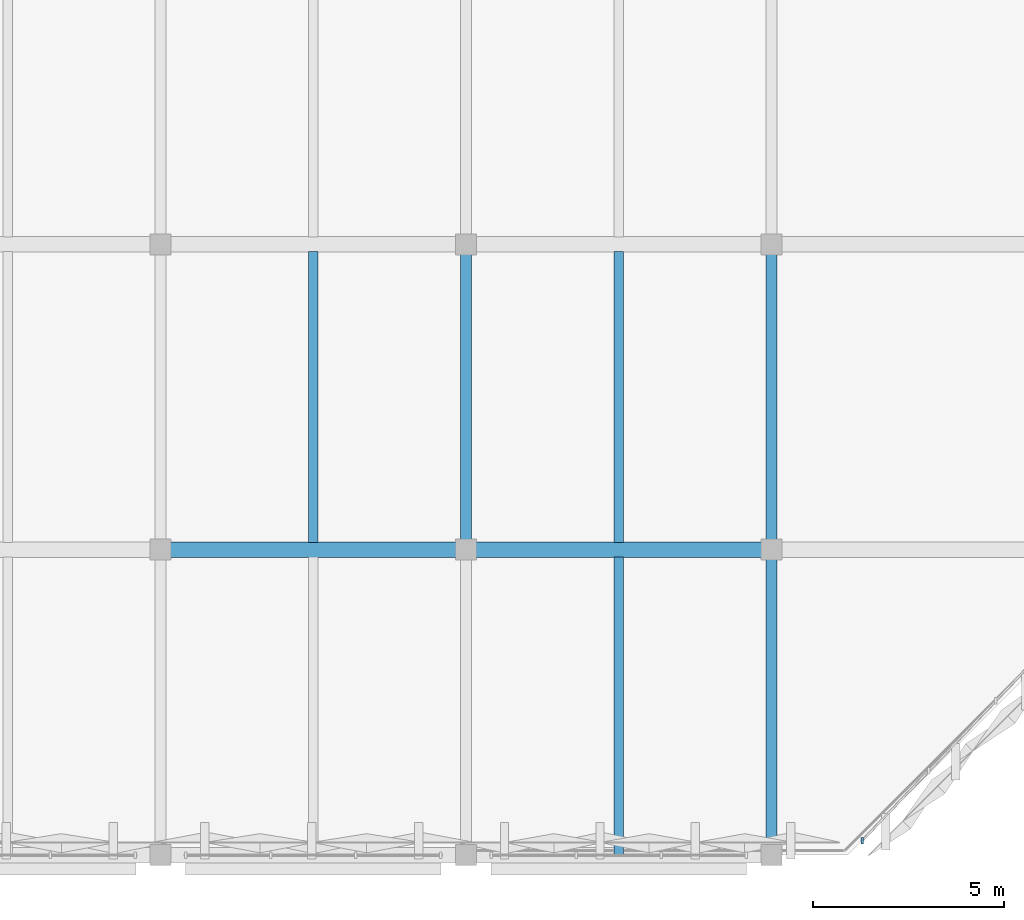
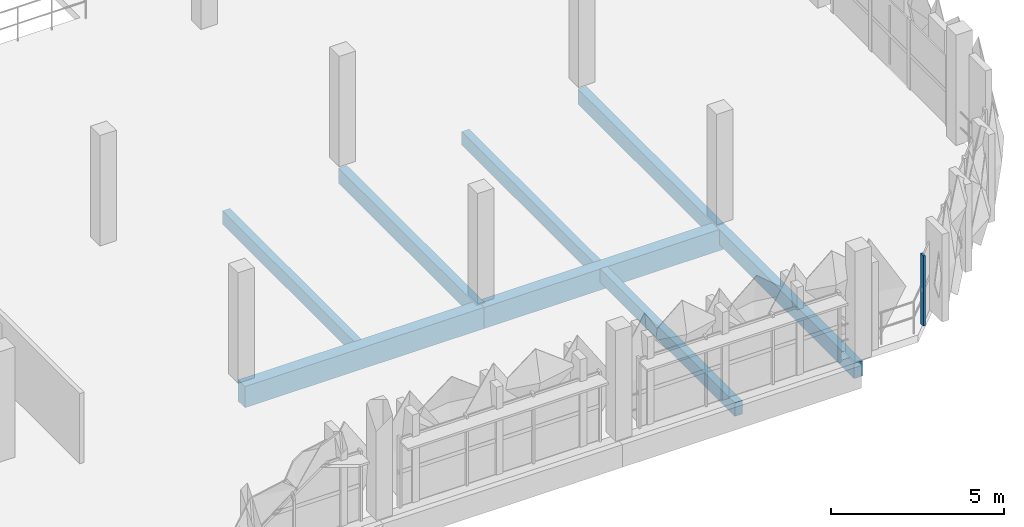
# One storey, part 17 of 83: 8 beams, 1 member, 1 element without a shape of its own.
"""IFC4 building model written with IfcOpenShell, lengths in metres."""

from ifc_helpers import new_model, si_unit, derived_unit, direction, frame, origin, origin_2d, place, context, subcontext, project, spatial, rectangle, extrude, material, layer, layer_set, material_profile, profile_set, type_object, element, aggregate, save


model = new_model("IFC4")

# Units and contexts
model_context = context("Model", 3, precision=1e-05, world=origin(), true_north=direction((0.0, 1.0)))
body_context = subcontext(model_context, "Body", "Model", "MODEL_VIEW")
ifc_project = project(units=[si_unit("LENGTHUNIT", "METRE"), si_unit("AREAUNIT", "SQUARE_METRE"), si_unit("VOLUMEUNIT", "CUBIC_METRE"), si_unit("PLANEANGLEUNIT", "RADIAN"), si_unit("MASSUNIT", "GRAM", prefix="KILO"), si_unit("THERMODYNAMICTEMPERATUREUNIT", "KELVIN"), derived_unit("THERMALTRANSMITTANCEUNIT", [(si_unit("POWERUNIT", "WATT"), 1), (si_unit("AREAUNIT", "SQUARE_METRE"), -1), (si_unit("THERMODYNAMICTEMPERATUREUNIT", "KELVIN"), -1)])], contexts=[model_context])

# Site, building, storey
site_placement = place(None, origin())
site = spatial("IfcSite", under=ifc_project, at=site_placement, CompositionType="ELEMENT")
building_placement = place(site_placement, origin())
building = spatial("IfcBuilding", under=site, at=building_placement, Name="Haiyu Intermodal Mobility Hub", CompositionType="ELEMENT")
storey_placement = place(building_placement, frame((0.0, 0.0, 13.39990234375)))
storey = spatial("IfcBuildingStorey", under=building, at=storey_placement, Name="L03", CompositionType="ELEMENT", Elevation=13.39990234375)

# Beams
ifc_material_1 = material(Name="Concrete C40", Category="concrete")
ifc_material_profile_1 = material_profile(ifc_material_1, rectangle(XDim=0.39990234375, YDim=0.75, at=origin_2d()), Name="RCB400x750")
ifc_profile_set_1 = profile_set([ifc_material_profile_1], Name="Concrete C40")
beam_type_1 = type_object("IfcBeamType", Name="BM-CB03", PredefinedType="BEAM", material=ifc_profile_set_1)
for number, where, z_axis, x_axis, name in (
    (1, (186.0, 24.0, -0.635009765625), (1.0, 0.0, 0.0), (0.0, 1.0, 0.0), "BM-V5G-L03-011"),
    (2, (194.0, 24.0, -0.635009765625), (1.0, 0.0, 0.0), (0.0, 1.0, 0.0), "BM-V5G-L03-012"),
):
    element("IfcBeam", number, at=place(storey_placement, frame(where, z_axis=z_axis, x_axis=x_axis)), inside=storey, type_object=beam_type_1, Name=name, PredefinedType="BEAM", context=body_context, shape_type="SweptSolid", body=[
        extrude(rectangle(XDim=0.39990234375, YDim=0.75, at=origin_2d()), origin(), (0.0, 0.0, 1.0), 8.0),
    ])
ifc_material_profile_2 = material_profile(ifc_material_1, rectangle(XDim=0.280029296875, YDim=0.5400390625, at=origin_2d()), Name="RCB280x540")
ifc_profile_set_2 = profile_set([ifc_material_profile_2], Name="Concrete C40")
beam_type_2 = type_object("IfcBeamType", Name="BM-CB08", PredefinedType="JOIST", material=ifc_profile_set_2)
for number, where, z_axis, x_axis, name in (
    (3, (194.0, 24.0, -0.52978515625), (0.0, 1.0, 0.0), (-1.0, 0.0, 0.0), "BM-V5T-L03-042"),
    (4, (202.0, 16.0, -0.52978515625), (0.0, 1.0, 0.0), (-1.0, 0.0, 0.0), "BM-V5T-L03-049"),
    (5, (202.0, 24.0, -0.52978515625), (0.0, 1.0, 0.0), (-1.0, 0.0, 0.0), "BM-V5T-L03-050"),
):
    element("IfcBeam", number, at=place(storey_placement, frame(where, z_axis=z_axis, x_axis=x_axis)), inside=storey, type_object=beam_type_2, Name=name, PredefinedType="JOIST", context=body_context, shape_type="SweptSolid", body=[
        extrude(rectangle(XDim=0.280029296875, YDim=0.5400390625, at=origin_2d()), origin(), (0.0, 0.0, 1.0), 8.0),
    ])
ifc_material_profile_3 = material_profile(ifc_material_1, rectangle(XDim=0.25, YDim=0.47998046875, at=origin_2d()), Name="RCB250x480")
ifc_profile_set_3 = profile_set([ifc_material_profile_3], Name="Concrete C40")
beam_type_3 = type_object("IfcBeamType", Name="BM-CB09", PredefinedType="JOIST", material=ifc_profile_set_3)
beam_1_placement = place(storey_placement, frame((190.0, 24.18505859375, -0.5), z_axis=(0.0, 1.0, 0.0), x_axis=(-1.0, 0.0, 0.0)))
element("IfcBeam", 6, at=beam_1_placement, inside=storey, type_object=beam_type_3, Name="BM-V5J-L03-016", PredefinedType="JOIST", context=body_context, shape_type="SweptSolid", body=[
    extrude(rectangle(XDim=0.25, YDim=0.47998046875, at=origin_2d()), origin(), (0.0, 0.0, 1.0), 7.6298828125),
])
beam_2_placement = place(storey_placement, frame((198.0, 16.0, -0.5), z_axis=(0.0, 1.0, 0.0), x_axis=(-1.0, 0.0, 0.0)))
element("IfcBeam", 7, at=beam_2_placement, inside=storey, type_object=beam_type_3, Name="BM-V5J-L03-021", PredefinedType="JOIST", context=body_context, shape_type="SweptSolid", body=[
    extrude(rectangle(XDim=0.25, YDim=0.47998046875, at=origin_2d()), origin(), (0.0, 0.0, 1.0), 7.81494140625),
])
beam_3_placement = place(storey_placement, frame((198.0, 24.18505859375, -0.5), z_axis=(0.0, 1.0, 0.0), x_axis=(-1.0, 0.0, 0.0)))
element("IfcBeam", 8, at=beam_3_placement, inside=storey, type_object=beam_type_3, Name="BM-V5J-L03-022", PredefinedType="JOIST", context=body_context, shape_type="SweptSolid", body=[
    extrude(rectangle(XDim=0.25, YDim=0.47998046875, at=origin_2d()), origin(), (0.0, 0.0, 1.0), 7.6298828125),
])

# Curtain wall, member
ifc_material_2 = material(Name="Low-e laminated insulating glass", Category="glass")
ifc_layer = layer(ifc_material_2, 0.2099609375)
ifc_layer_set = layer_set([ifc_layer], Name="Low-e laminated insulating glass")
curtain_wall_type = type_object("IfcCurtainWallType", Name="CW-CW04", PredefinedType="NOTDEFINED", material=ifc_layer_set)
curtain_wall_placement = place(storey_placement, origin())
curtain_wall = element("IfcCurtainWall", 9, at=curtain_wall_placement, inside=storey, type_object=curtain_wall_type, Name="Curtain Wall CW-V5CH-L03-181", PredefinedType="NOTDEFINED")
ifc_material_3 = material(Name="Anodised aluminium 6063-T6", Category="aluminium")
ifc_material_profile_4 = material_profile(ifc_material_3, rectangle(XDim=0.06494140625, YDim=0.1650390625, at=origin_2d()), Name="ALU65x165")
ifc_profile_set_4 = profile_set([ifc_material_profile_4], Name="Anodised aluminium 6063-T6")
member_type = type_object("IfcMemberType", Name="CWM-ML02", PredefinedType="MULLION", material=ifc_profile_set_4)
member_placement = place(storey_placement, frame((204.3779296875, 16.37890625, 0.0), z_axis=(0.0, 0.0, 1.0), x_axis=(1.0, 0.0, 0.0)))
member = element("IfcMember", 10, at=member_placement, type_object=member_type, Name="CW-V5CH-L03-181-ML01", PredefinedType="MULLION", context=body_context, shape_type="SweptSolid", body=[
    extrude(rectangle(XDim=0.06494140625, YDim=0.1650390625, at=origin_2d()), origin(), (0.0, 0.0, 1.0), 2.47998046875),
])
aggregate(curtain_wall, [member])

save(model, "model.ifc")
